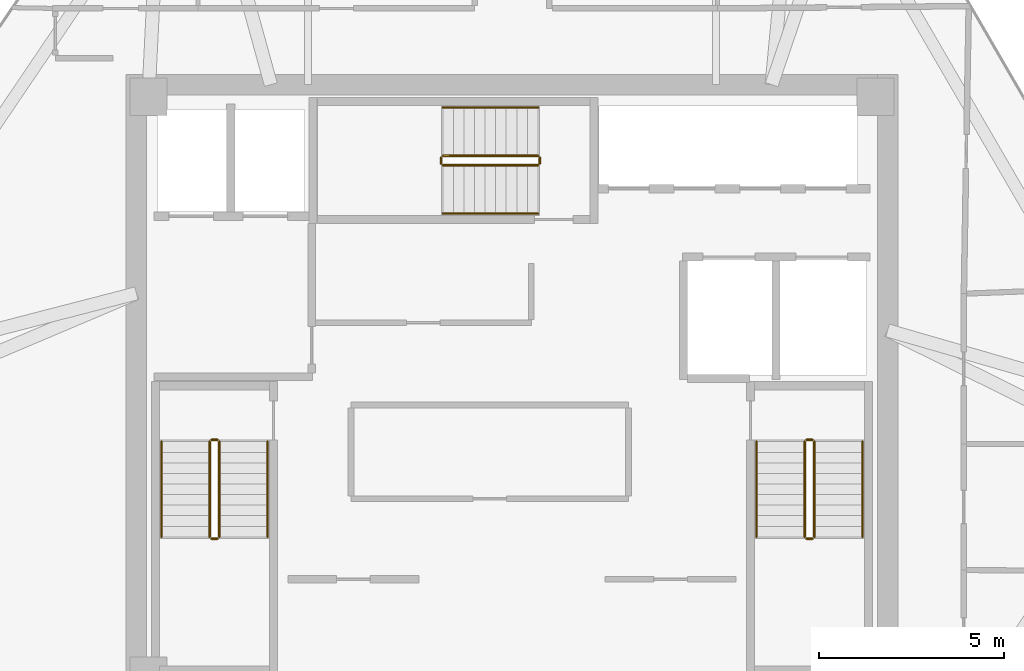
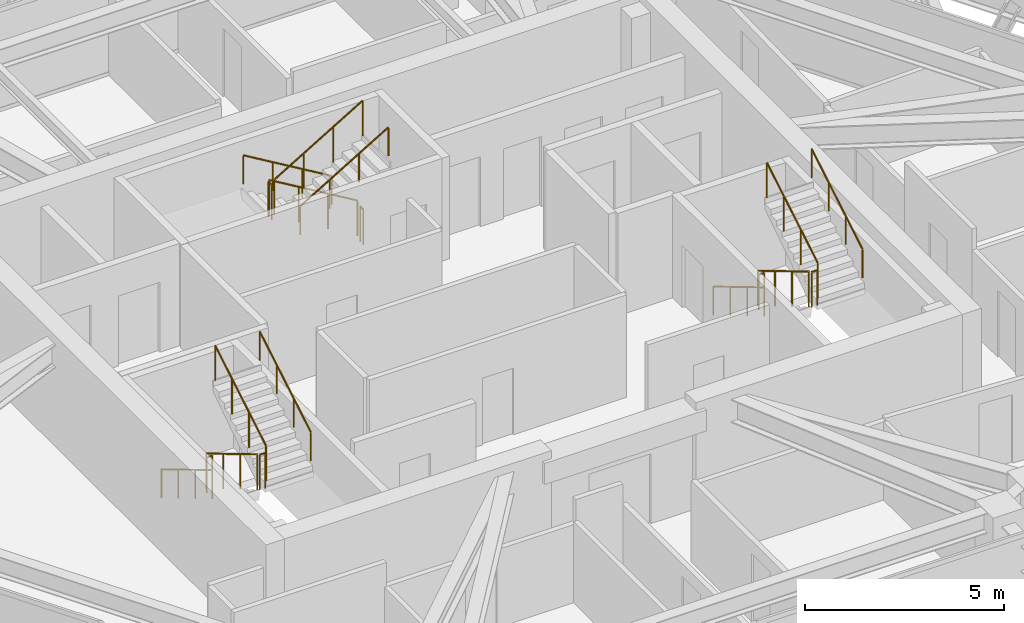
# One storey, part 11 of 11: 18 railings.
"""IFC4 building model written with IfcOpenShell, lengths in metres."""

from ifc_helpers import new_model, si_unit, direction, frame, origin, origin_2d, place, context, subcontext, project, spatial, circle, extrude, material, type_object, element, save


model = new_model("IFC4")

# Units and contexts
model_context = context("Model", 3, precision=1e-05, world=origin(), true_north=direction((0.0, 1.0)))
body_context = subcontext(model_context, "Body", "Model", "MODEL_VIEW")
ifc_project = project(units=[si_unit("LENGTHUNIT", "METRE"), si_unit("AREAUNIT", "SQUARE_METRE"), si_unit("VOLUMEUNIT", "CUBIC_METRE"), si_unit("PLANEANGLEUNIT", "RADIAN"), si_unit("MASSUNIT", "GRAM", prefix="KILO")], contexts=[model_context])

# Site, building, storey
site_placement = place(None, origin())
site = spatial("IfcSite", under=ifc_project, at=site_placement, CompositionType="ELEMENT")
building_placement = place(site_placement, origin())
building = spatial("IfcBuilding", under=site, at=building_placement, Name="Durnholm Broadcast Tower", CompositionType="ELEMENT")
storey_placement = place(building_placement, frame((0.0, 0.0, 251.300048828125)))
storey = spatial("IfcBuildingStorey", under=building, at=storey_placement, Name="L70", CompositionType="ELEMENT", Elevation=251.300048828125)

# Railings
ifc_material_1 = material(Name="Painted Tubular Steel Stair Guardrail", Category="steel")
railing_type_1 = type_object("IfcRailingType", Name="RAIL-ST-GRD", PredefinedType="GUARDRAIL", material=ifc_material_1)
railing_1_placement = place(storey_placement, frame((-8.14990234375, -1.5, 0.169921875)))
element("IfcRailing", 1, at=railing_1_placement, inside=storey, type_object=railing_type_1, Name="L70 ST-1 stair guard 1", PredefinedType="GUARDRAIL", context=body_context, shape_type="SweptSolid", body=[
    extrude(circle(Radius=0.02392578125, at=origin_2d()), frame((0.0, 0.0, 1.076171875), z_axis=(0.0, -0.858810040619, 0.512294167576), x_axis=(1.0, 0.0, 0.0)), (0.0, 0.0, 1.0), 2.986572265625),
    extrude(circle(Radius=0.02099609375, at=origin_2d()), origin(), (0.0, 0.0, 1.0), 1.052001953125),
    extrude(circle(Radius=0.02099609375, at=origin_2d()), frame((0.0, -0.85498046875, 0.510009765625)), (0.0, 0.0, 1.0), 1.052001953125),
    extrude(circle(Radius=0.02099609375, at=origin_2d()), frame((0.0, -1.7099609375, 1.02001953125)), (0.0, 0.0, 1.0), 1.052001953125),
    extrude(circle(Radius=0.02099609375, at=origin_2d()), frame((0.0, -2.56494140625, 1.530029296875)), (0.0, 0.0, 1.0), 1.052001953125),
])
railing_2_placement = place(storey_placement, frame((-8.10009765625, -4.114990234375, 1.699951171875)))
element("IfcRailing", 2, at=railing_2_placement, inside=storey, type_object=railing_type_1, Name="L70 ST-1 stair guard 2", PredefinedType="GUARDRAIL", context=body_context, shape_type="SweptSolid", body=[
    extrude(circle(Radius=0.02392578125, at=origin_2d()), frame((0.0, 0.0, 1.076171875), z_axis=(1.0, 0.0, 0.0), x_axis=(0.0, 1.0, 0.0)), (0.0, 0.0, 1.0), 0.16015625),
    extrude(circle(Radius=0.02099609375, at=origin_2d()), origin(), (0.0, 0.0, 1.0), 1.052001953125),
    extrude(circle(Radius=0.02099609375, at=origin_2d()), frame((0.16015625, 0.0, 0.0)), (0.0, 0.0, 1.0), 1.052001953125),
])
railing_3_placement = place(storey_placement, frame((-7.889892578125, -4.06494140625, 1.869873046875)))
element("IfcRailing", 3, at=railing_3_placement, inside=storey, type_object=railing_type_1, Name="L70 ST-1 stair guard 3", PredefinedType="GUARDRAIL", context=body_context, shape_type="SweptSolid", body=[
    extrude(circle(Radius=0.02392578125, at=origin_2d()), frame((0.0, 0.0, 1.076171875), z_axis=(0.0, 0.858810040619, 0.512294167576), x_axis=(-1.0, 0.0, 0.0)), (0.0, 0.0, 1.0), 2.986572265625),
    extrude(circle(Radius=0.02099609375, at=origin_2d()), origin(), (0.0, 0.0, 1.0), 1.052001953125),
    extrude(circle(Radius=0.02099609375, at=origin_2d()), frame((0.0, 0.85498046875, 0.510009765625)), (0.0, 0.0, 1.0), 1.052001953125),
    extrude(circle(Radius=0.02099609375, at=origin_2d()), frame((0.0, 1.7099609375, 1.02001953125)), (0.0, 0.0, 1.0), 1.052001953125),
    extrude(circle(Radius=0.02099609375, at=origin_2d()), frame((0.0, 2.56494140625, 1.530029296875)), (0.0, 0.0, 1.0), 1.052001953125),
])
railing_4_placement = place(storey_placement, frame((-8.10009765625, -1.449951171875, 0.0)))
element("IfcRailing", 4, at=railing_4_placement, inside=storey, type_object=railing_type_1, Name="L70 ST-1 stair guard 4", PredefinedType="GUARDRAIL", context=body_context, shape_type="SweptSolid", body=[
    extrude(circle(Radius=0.02392578125, at=origin_2d()), frame((0.0, 0.0, 1.076171875), z_axis=(1.0, 0.0, 0.0), x_axis=(0.0, 1.0, 0.0)), (0.0, 0.0, 1.0), 0.16015625),
    extrude(circle(Radius=0.02099609375, at=origin_2d()), origin(), (0.0, 0.0, 1.0), 1.052001953125),
    extrude(circle(Radius=0.02099609375, at=origin_2d()), frame((0.16015625, 0.0, 0.0)), (0.0, 0.0, 1.0), 1.052001953125),
])
railing_5_placement = place(storey_placement, frame((7.889892578125, -1.5, 0.169921875)))
element("IfcRailing", 5, at=railing_5_placement, inside=storey, type_object=railing_type_1, Name="L70 ST-2 stair guard 1", PredefinedType="GUARDRAIL", context=body_context, shape_type="SweptSolid", body=[
    extrude(circle(Radius=0.02392578125, at=origin_2d()), frame((0.0, 0.0, 1.076171875), z_axis=(0.0, -0.858810040619, 0.512294167576), x_axis=(1.0, 0.0, 0.0)), (0.0, 0.0, 1.0), 2.986572265625),
    extrude(circle(Radius=0.02099609375, at=origin_2d()), origin(), (0.0, 0.0, 1.0), 1.052001953125),
    extrude(circle(Radius=0.02099609375, at=origin_2d()), frame((0.0, -0.85498046875, 0.510009765625)), (0.0, 0.0, 1.0), 1.052001953125),
    extrude(circle(Radius=0.02099609375, at=origin_2d()), frame((0.0, -1.7099609375, 1.02001953125)), (0.0, 0.0, 1.0), 1.052001953125),
    extrude(circle(Radius=0.02099609375, at=origin_2d()), frame((0.0, -2.56494140625, 1.530029296875)), (0.0, 0.0, 1.0), 1.052001953125),
])
railing_6_placement = place(storey_placement, frame((7.93994140625, -4.114990234375, 1.699951171875)))
element("IfcRailing", 6, at=railing_6_placement, inside=storey, type_object=railing_type_1, Name="L70 ST-2 stair guard 2", PredefinedType="GUARDRAIL", context=body_context, shape_type="SweptSolid", body=[
    extrude(circle(Radius=0.02392578125, at=origin_2d()), frame((0.0, 0.0, 1.076171875), z_axis=(1.0, 0.0, 0.0), x_axis=(0.0, 1.0, 0.0)), (0.0, 0.0, 1.0), 0.16015625),
    extrude(circle(Radius=0.02099609375, at=origin_2d()), origin(), (0.0, 0.0, 1.0), 1.052001953125),
    extrude(circle(Radius=0.02099609375, at=origin_2d()), frame((0.16015625, 0.0, 0.0)), (0.0, 0.0, 1.0), 1.052001953125),
])
railing_7_placement = place(storey_placement, frame((8.14990234375, -4.06494140625, 1.869873046875)))
element("IfcRailing", 7, at=railing_7_placement, inside=storey, type_object=railing_type_1, Name="L70 ST-2 stair guard 3", PredefinedType="GUARDRAIL", context=body_context, shape_type="SweptSolid", body=[
    extrude(circle(Radius=0.02392578125, at=origin_2d()), frame((0.0, 0.0, 1.076171875), z_axis=(0.0, 0.858810040619, 0.512294167576), x_axis=(-1.0, 0.0, 0.0)), (0.0, 0.0, 1.0), 2.986572265625),
    extrude(circle(Radius=0.02099609375, at=origin_2d()), origin(), (0.0, 0.0, 1.0), 1.052001953125),
    extrude(circle(Radius=0.02099609375, at=origin_2d()), frame((0.0, 0.85498046875, 0.510009765625)), (0.0, 0.0, 1.0), 1.052001953125),
    extrude(circle(Radius=0.02099609375, at=origin_2d()), frame((0.0, 1.7099609375, 1.02001953125)), (0.0, 0.0, 1.0), 1.052001953125),
    extrude(circle(Radius=0.02099609375, at=origin_2d()), frame((0.0, 2.56494140625, 1.530029296875)), (0.0, 0.0, 1.0), 1.052001953125),
])
railing_8_placement = place(storey_placement, frame((7.93994140625, -1.449951171875, 0.0)))
element("IfcRailing", 8, at=railing_8_placement, inside=storey, type_object=railing_type_1, Name="L70 ST-2 stair guard 4", PredefinedType="GUARDRAIL", context=body_context, shape_type="SweptSolid", body=[
    extrude(circle(Radius=0.02392578125, at=origin_2d()), frame((0.0, 0.0, 1.076171875), z_axis=(1.0, 0.0, 0.0), x_axis=(0.0, 1.0, 0.0)), (0.0, 0.0, 1.0), 0.16015625),
    extrude(circle(Radius=0.02099609375, at=origin_2d()), origin(), (0.0, 0.0, 1.0), 1.052001953125),
    extrude(circle(Radius=0.02099609375, at=origin_2d()), frame((0.16015625, 0.0, 0.0)), (0.0, 0.0, 1.0), 1.052001953125),
])
railing_9_placement = place(storey_placement, frame((0.699951171875, 6.2099609375, 0.169921875)))
element("IfcRailing", 9, at=railing_9_placement, inside=storey, type_object=railing_type_1, Name="L70 ST-3 stair guard 1", PredefinedType="GUARDRAIL", context=body_context, shape_type="SweptSolid", body=[
    extrude(circle(Radius=0.02392578125, at=origin_2d()), frame((0.0, 0.0, 1.076171875), z_axis=(-0.858810040619, 0.0, 0.512294167576), x_axis=(0.0, -1.0, 0.0)), (0.0, 0.0, 1.0), 2.986572265625),
    extrude(circle(Radius=0.02099609375, at=origin_2d()), origin(), (0.0, 0.0, 1.0), 1.052001953125),
    extrude(circle(Radius=0.02099609375, at=origin_2d()), frame((-0.85498046875, 0.0, 0.510009765625)), (0.0, 0.0, 1.0), 1.052001953125),
    extrude(circle(Radius=0.02099609375, at=origin_2d()), frame((-1.7099609375, 0.0, 1.02001953125)), (0.0, 0.0, 1.0), 1.052001953125),
    extrude(circle(Radius=0.02099609375, at=origin_2d()), frame((-2.56494140625, 0.0, 1.530029296875)), (0.0, 0.0, 1.0), 1.052001953125),
])
railing_10_placement = place(storey_placement, frame((-1.9150390625, 6.159912109375, 1.699951171875)))
element("IfcRailing", 10, at=railing_10_placement, inside=storey, type_object=railing_type_1, Name="L70 ST-3 stair guard 2", PredefinedType="GUARDRAIL", context=body_context, shape_type="SweptSolid", body=[
    extrude(circle(Radius=0.02392578125, at=origin_2d()), frame((0.0, 0.0, 1.076171875), z_axis=(0.0, -1.0, 0.0), x_axis=(1.0, 0.0, 0.0)), (0.0, 0.0, 1.0), 0.159912109375),
    extrude(circle(Radius=0.02099609375, at=origin_2d()), origin(), (0.0, 0.0, 1.0), 1.052001953125),
    extrude(circle(Radius=0.02099609375, at=origin_2d()), frame((0.0, -0.159912109375, 0.0)), (0.0, 0.0, 1.0), 1.052001953125),
])
railing_11_placement = place(storey_placement, frame((-1.864990234375, 5.949951171875, 1.869873046875)))
element("IfcRailing", 11, at=railing_11_placement, inside=storey, type_object=railing_type_1, Name="L70 ST-3 stair guard 3", PredefinedType="GUARDRAIL", context=body_context, shape_type="SweptSolid", body=[
    extrude(circle(Radius=0.02392578125, at=origin_2d()), frame((0.0, 0.0, 1.076171875), z_axis=(0.858810040619, 0.0, 0.512294167576), x_axis=(0.0, 1.0, 0.0)), (0.0, 0.0, 1.0), 2.986572265625),
    extrude(circle(Radius=0.02099609375, at=origin_2d()), origin(), (0.0, 0.0, 1.0), 1.052001953125),
    extrude(circle(Radius=0.02099609375, at=origin_2d()), frame((0.85498046875, 0.0, 0.510009765625)), (0.0, 0.0, 1.0), 1.052001953125),
    extrude(circle(Radius=0.02099609375, at=origin_2d()), frame((1.7099609375, 0.0, 1.02001953125)), (0.0, 0.0, 1.0), 1.052001953125),
    extrude(circle(Radius=0.02099609375, at=origin_2d()), frame((2.56494140625, 0.0, 1.530029296875)), (0.0, 0.0, 1.0), 1.052001953125),
])
railing_12_placement = place(storey_placement, frame((0.75, 6.159912109375, 0.0)))
element("IfcRailing", 12, at=railing_12_placement, inside=storey, type_object=railing_type_1, Name="L70 ST-3 stair guard 4", PredefinedType="GUARDRAIL", context=body_context, shape_type="SweptSolid", body=[
    extrude(circle(Radius=0.02392578125, at=origin_2d()), frame((0.0, 0.0, 1.076171875), z_axis=(0.0, -1.0, 0.0), x_axis=(1.0, 0.0, 0.0)), (0.0, 0.0, 1.0), 0.159912109375),
    extrude(circle(Radius=0.02099609375, at=origin_2d()), origin(), (0.0, 0.0, 1.0), 1.052001953125),
    extrude(circle(Radius=0.02099609375, at=origin_2d()), frame((0.0, -0.159912109375, 0.0)), (0.0, 0.0, 1.0), 1.052001953125),
])
ifc_material_2 = material(Name="Brushed Stainless Steel Handrail", Category="steel")
railing_type_2 = type_object("IfcRailingType", Name="RAIL-ST-HND", PredefinedType="HANDRAIL", material=ifc_material_2)
railing_13_placement = place(storey_placement, frame((-9.449951171875, -1.5, 0.33984375)))
element("IfcRailing", 13, at=railing_13_placement, inside=storey, type_object=railing_type_2, Name="L70 ST-1 stair handrail 1", PredefinedType="HANDRAIL", context=body_context, shape_type="SweptSolid", body=[
    extrude(circle(Radius=0.02392578125, at=origin_2d()), frame((0.0, 0.0, 0.8759765625), z_axis=(0.0, -0.858810040619, 0.512294167576), x_axis=(1.0, 0.0, 0.0)), (0.0, 0.0, 1.0), 2.986572265625),
    extrude(circle(Radius=0.02099609375, at=origin_2d()), origin(), (0.0, 0.0, 1.0), 0.851806640625),
    extrude(circle(Radius=0.02099609375, at=origin_2d()), frame((0.0, -0.85498046875, 0.510009765625)), (0.0, 0.0, 1.0), 0.851806640625),
    extrude(circle(Radius=0.02099609375, at=origin_2d()), frame((0.0, -1.7099609375, 1.02001953125)), (0.0, 0.0, 1.0), 0.851806640625),
    extrude(circle(Radius=0.02099609375, at=origin_2d()), frame((0.0, -2.56494140625, 1.530029296875)), (0.0, 0.0, 1.0), 0.851806640625),
])
railing_14_placement = place(storey_placement, frame((-6.590087890625, -4.06494140625, 2.0400390625)))
element("IfcRailing", 14, at=railing_14_placement, inside=storey, type_object=railing_type_2, Name="L70 ST-1 stair handrail 2", PredefinedType="HANDRAIL", context=body_context, shape_type="SweptSolid", body=[
    extrude(circle(Radius=0.02392578125, at=origin_2d()), frame((0.0, 0.0, 0.8759765625), z_axis=(0.0, 0.858810040619, 0.512294167576), x_axis=(-1.0, 0.0, 0.0)), (0.0, 0.0, 1.0), 2.986572265625),
    extrude(circle(Radius=0.02099609375, at=origin_2d()), origin(), (0.0, 0.0, 1.0), 0.851806640625),
    extrude(circle(Radius=0.02099609375, at=origin_2d()), frame((0.0, 0.85498046875, 0.510009765625)), (0.0, 0.0, 1.0), 0.851806640625),
    extrude(circle(Radius=0.02099609375, at=origin_2d()), frame((0.0, 1.7099609375, 1.02001953125)), (0.0, 0.0, 1.0), 0.851806640625),
    extrude(circle(Radius=0.02099609375, at=origin_2d()), frame((0.0, 2.56494140625, 1.530029296875)), (0.0, 0.0, 1.0), 0.851806640625),
])
railing_15_placement = place(storey_placement, frame((6.590087890625, -1.5, 0.33984375)))
element("IfcRailing", 15, at=railing_15_placement, inside=storey, type_object=railing_type_2, Name="L70 ST-2 stair handrail 1", PredefinedType="HANDRAIL", context=body_context, shape_type="SweptSolid", body=[
    extrude(circle(Radius=0.02392578125, at=origin_2d()), frame((0.0, 0.0, 0.8759765625), z_axis=(0.0, -0.858810040619, 0.512294167576), x_axis=(1.0, 0.0, 0.0)), (0.0, 0.0, 1.0), 2.986572265625),
    extrude(circle(Radius=0.02099609375, at=origin_2d()), origin(), (0.0, 0.0, 1.0), 0.851806640625),
    extrude(circle(Radius=0.02099609375, at=origin_2d()), frame((0.0, -0.85498046875, 0.510009765625)), (0.0, 0.0, 1.0), 0.851806640625),
    extrude(circle(Radius=0.02099609375, at=origin_2d()), frame((0.0, -1.7099609375, 1.02001953125)), (0.0, 0.0, 1.0), 0.851806640625),
    extrude(circle(Radius=0.02099609375, at=origin_2d()), frame((0.0, -2.56494140625, 1.530029296875)), (0.0, 0.0, 1.0), 0.851806640625),
])
railing_16_placement = place(storey_placement, frame((9.449951171875, -4.06494140625, 2.0400390625)))
element("IfcRailing", 16, at=railing_16_placement, inside=storey, type_object=railing_type_2, Name="L70 ST-2 stair handrail 2", PredefinedType="HANDRAIL", context=body_context, shape_type="SweptSolid", body=[
    extrude(circle(Radius=0.02392578125, at=origin_2d()), frame((0.0, 0.0, 0.8759765625), z_axis=(0.0, 0.858810040619, 0.512294167576), x_axis=(-1.0, 0.0, 0.0)), (0.0, 0.0, 1.0), 2.986572265625),
    extrude(circle(Radius=0.02099609375, at=origin_2d()), origin(), (0.0, 0.0, 1.0), 0.851806640625),
    extrude(circle(Radius=0.02099609375, at=origin_2d()), frame((0.0, 0.85498046875, 0.510009765625)), (0.0, 0.0, 1.0), 0.851806640625),
    extrude(circle(Radius=0.02099609375, at=origin_2d()), frame((0.0, 1.7099609375, 1.02001953125)), (0.0, 0.0, 1.0), 0.851806640625),
    extrude(circle(Radius=0.02099609375, at=origin_2d()), frame((0.0, 2.56494140625, 1.530029296875)), (0.0, 0.0, 1.0), 0.851806640625),
])
railing_17_placement = place(storey_placement, frame((0.699951171875, 7.510009765625, 0.33984375)))
element("IfcRailing", 17, at=railing_17_placement, inside=storey, type_object=railing_type_2, Name="L70 ST-3 stair handrail 1", PredefinedType="HANDRAIL", context=body_context, shape_type="SweptSolid", body=[
    extrude(circle(Radius=0.02392578125, at=origin_2d()), frame((0.0, 0.0, 0.8759765625), z_axis=(-0.858810040619, 0.0, 0.512294167576), x_axis=(0.0, -1.0, 0.0)), (0.0, 0.0, 1.0), 2.986572265625),
    extrude(circle(Radius=0.02099609375, at=origin_2d()), origin(), (0.0, 0.0, 1.0), 0.851806640625),
    extrude(circle(Radius=0.02099609375, at=origin_2d()), frame((-0.85498046875, 0.0, 0.510009765625)), (0.0, 0.0, 1.0), 0.851806640625),
    extrude(circle(Radius=0.02099609375, at=origin_2d()), frame((-1.7099609375, 0.0, 1.02001953125)), (0.0, 0.0, 1.0), 0.851806640625),
    extrude(circle(Radius=0.02099609375, at=origin_2d()), frame((-2.56494140625, 0.0, 1.530029296875)), (0.0, 0.0, 1.0), 0.851806640625),
])
railing_18_placement = place(storey_placement, frame((-1.864990234375, 4.64990234375, 2.0400390625)))
element("IfcRailing", 18, at=railing_18_placement, inside=storey, type_object=railing_type_2, Name="L70 ST-3 stair handrail 2", PredefinedType="HANDRAIL", context=body_context, shape_type="SweptSolid", body=[
    extrude(circle(Radius=0.02392578125, at=origin_2d()), frame((0.0, 0.0, 0.8759765625), z_axis=(0.858810040619, 0.0, 0.512294167576), x_axis=(0.0, 1.0, 0.0)), (0.0, 0.0, 1.0), 2.986572265625),
    extrude(circle(Radius=0.02099609375, at=origin_2d()), origin(), (0.0, 0.0, 1.0), 0.851806640625),
    extrude(circle(Radius=0.02099609375, at=origin_2d()), frame((0.85498046875, 0.0, 0.510009765625)), (0.0, 0.0, 1.0), 0.851806640625),
    extrude(circle(Radius=0.02099609375, at=origin_2d()), frame((1.7099609375, 0.0, 1.02001953125)), (0.0, 0.0, 1.0), 0.851806640625),
    extrude(circle(Radius=0.02099609375, at=origin_2d()), frame((2.56494140625, 0.0, 1.530029296875)), (0.0, 0.0, 1.0), 0.851806640625),
])

save(model, "model.ifc")
